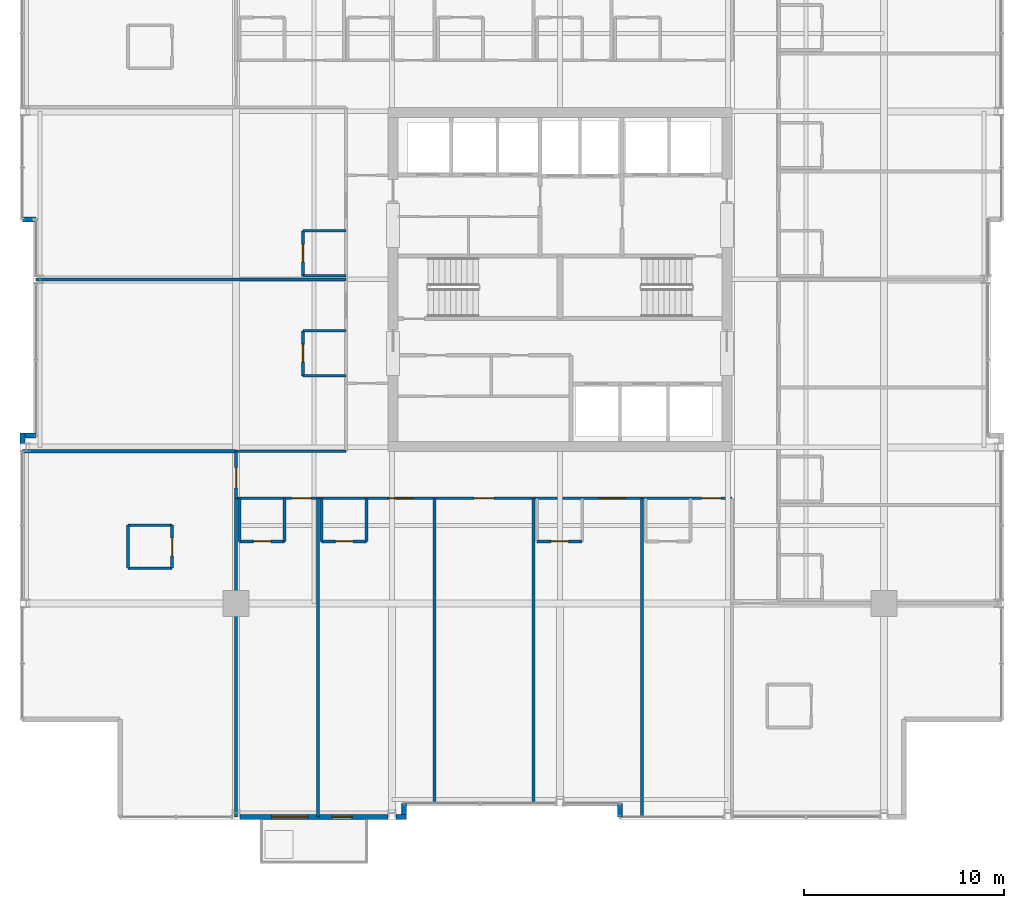
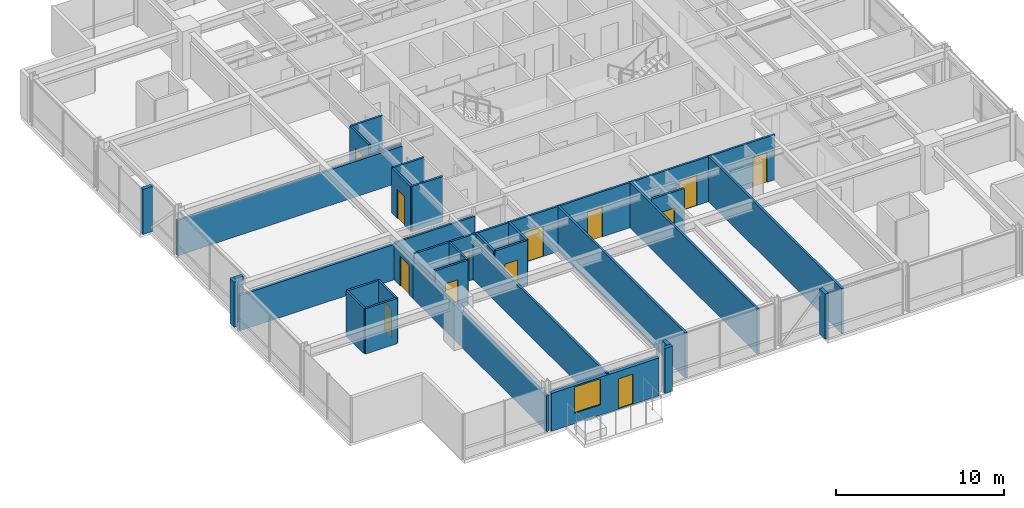
# One storey, part 26 of 33: 34 walls, 13 doors, 1 window, 14 openings.
"""IFC4 building model written with IfcOpenShell, lengths in metres."""

from ifc_helpers import new_model, si_unit, direction, frame, frame_2d, origin, place, context, subcontext, project, spatial, rectangle, extrude, material, layer, layer_set, type_object, element, fill, save


model = new_model("IFC4")

# Units and contexts
model_context = context("Model", 3, precision=1e-05, world=origin(), true_north=direction((0.0, 1.0)))
body_context = subcontext(model_context, "Body", "Model", "MODEL_VIEW")
ifc_project = project(units=[si_unit("LENGTHUNIT", "METRE"), si_unit("AREAUNIT", "SQUARE_METRE"), si_unit("VOLUMEUNIT", "CUBIC_METRE"), si_unit("PLANEANGLEUNIT", "RADIAN"), si_unit("MASSUNIT", "GRAM", prefix="KILO")], contexts=[model_context])

# Site, building, storey
site_placement = place(None, origin())
site = spatial("IfcSite", under=ifc_project, at=site_placement, CompositionType="ELEMENT")
building_placement = place(site_placement, origin())
building = spatial("IfcBuilding", under=site, at=building_placement, Name="Drelvath Grand Hotel", CompositionType="ELEMENT")
storey_placement = place(building_placement, frame((0.0, 0.0, 153.949951171875)))
storey = spatial("IfcBuildingStorey", under=building, at=storey_placement, Name="L39", CompositionType="ELEMENT", Elevation=153.949951171875)

# Wall
ifc_material_1 = material(Name="Gypsum Fireboard Partition")
ifc_layer_1 = layer(ifc_material_1, 0.135009765625)
ifc_layer_set_1 = layer_set([ifc_layer_1], Name="Gypsum Fireboard Partition")
wall_type_1 = type_object("IfcWallType", Name="Corridor Fire Barrier Wall 135", PredefinedType="PARTITIONING", material=ifc_layer_set_1)
wall_1_placement = place(storey_placement, frame((-16.199951171875, 18.39990234375, 0.0), z_axis=(0.0, 0.0, 1.0), x_axis=(1.0, 0.0, 0.0)))
element("IfcWall", 1, at=wall_1_placement, inside=storey, type_object=wall_type_1, Name="L39 SW Stub North Wall", PredefinedType="PARTITIONING", context=body_context, shape_type="SweptSolid", body=[
    extrude(rectangle(XDim=5.5, YDim=0.135009765625, at=frame_2d((2.75, 0.0))), origin(), (0.0, 0.0, 1.0), 2.66748046875),
])

# Wall, openings, doors
wall_2_placement = place(storey_placement, frame((-16.199951171875, 16.050048828125, 0.0), z_axis=(0.0, 0.0, 1.0), x_axis=(1.0, 0.0, 0.0)))
wall_2 = element("IfcWall", 2, at=wall_2_placement, inside=storey, type_object=wall_type_1, Name="L39 South Stub Corridor Wall", PredefinedType="PARTITIONING", context=body_context, shape_type="SweptSolid", body=[
    extrude(rectangle(XDim=24.800048828125, YDim=0.135009765625, at=frame_2d((12.39990234375, 0.0))), origin(), (0.0, 0.0, 1.0), 3.2900390625),
])
opening_1_placement = place(wall_2_placement, frame((2.784912109375, 0.0, 0.0)))
opening_1 = element("IfcOpeningElement", 3, at=opening_1_placement, cuts=wall_2, Name="Opening D-T3G1-035", PredefinedType="OPENING", context=body_context, shape_type="SweptSolid", body=[
    extrude(rectangle(XDim=0.9599609375, YDim=2.14990234375, at=frame_2d((0.47998046875, 1.074951171875))), frame((0.0, 0.077392578125, 0.0), z_axis=(0.0, -1.0, 0.0), x_axis=(1.0, 0.0, 0.0)), (0.0, 0.0, 1.0), 0.155029296875),
])
opening_2_placement = place(wall_2_placement, frame((7.594970703125, 0.0, 0.0)))
opening_2 = element("IfcOpeningElement", 4, at=opening_2_placement, cuts=wall_2, Name="Opening D-T3G1-037", PredefinedType="OPENING", context=body_context, shape_type="SweptSolid", body=[
    extrude(rectangle(XDim=1.260009765625, YDim=2.199951171875, at=frame_2d((0.6298828125, 1.10009765625))), frame((0.0, 0.077392578125, 0.0), z_axis=(0.0, -1.0, 0.0), x_axis=(1.0, 0.0, 0.0)), (0.0, 0.0, 1.0), 0.155029296875),
])
opening_3_placement = place(wall_2_placement, frame((11.889892578125, 0.0, 0.0)))
opening_3 = element("IfcOpeningElement", 5, at=opening_3_placement, cuts=wall_2, Name="Opening D-T3G1-038", PredefinedType="OPENING", context=body_context, shape_type="SweptSolid", body=[
    extrude(rectangle(XDim=1.02001953125, YDim=2.14990234375, at=frame_2d((0.510009765625, 1.074951171875))), frame((0.0, 0.077392578125, 0.0), z_axis=(0.0, -1.0, 0.0), x_axis=(1.0, 0.0, 0.0)), (0.0, 0.0, 1.0), 0.155029296875),
])
opening_4_placement = place(wall_2_placement, frame((18.17041015625, 0.0, 0.0)))
opening_4 = element("IfcOpeningElement", 6, at=opening_4_placement, cuts=wall_2, Name="Opening D-T3G1-040", PredefinedType="OPENING", context=body_context, shape_type="SweptSolid", body=[
    extrude(rectangle(XDim=1.260009765625, YDim=2.199951171875, at=frame_2d((0.6298828125, 1.10009765625))), frame((0.0, 0.077392578125, 0.0), z_axis=(0.0, -1.0, 0.0), x_axis=(1.0, 0.0, 0.0)), (0.0, 0.0, 1.0), 0.155029296875),
])
opening_5_placement = place(wall_2_placement, frame((23.280517578125, 0.0, 0.0)))
opening_5 = element("IfcOpeningElement", 7, at=opening_5_placement, cuts=wall_2, Name="Opening D-T3G1-042", PredefinedType="OPENING", context=body_context, shape_type="SweptSolid", body=[
    extrude(rectangle(XDim=0.9599609375, YDim=2.14990234375, at=frame_2d((0.47998046875, 1.074951171875))), frame((0.0, 0.077392578125, 0.0), z_axis=(0.0, -1.0, 0.0), x_axis=(1.0, 0.0, 0.0)), (0.0, 0.0, 1.0), 0.155029296875),
])
ifc_material_2 = material(Name="Hardwood Walnut Timber", Category="wood")
door_type_1 = type_object("IfcDoorType", Name="Amenity Meeting Fire Door 1020x2150", OperationType="NOTDEFINED", PredefinedType="DOOR", material=ifc_material_2)
door_1_placement = place(opening_3_placement, origin())
door_1 = element("IfcDoor", 8, at=door_1_placement, inside=storey, type_object=door_type_1, Name="L39 Sky Tea Lounge Entry Door", OperationType="SINGLE_SWING_RIGHT", OverallHeight=2.14990234375, OverallWidth=1.02001953125, PredefinedType="DOOR", context=body_context, shape_type="SweptSolid", body=[
    extrude(rectangle(XDim=1.02001953125, YDim=2.14990234375, at=frame_2d((0.510009765625, 1.074951171875))), frame((0.0, 0.02490234375, 0.0), z_axis=(0.0, -1.0, 0.0), x_axis=(1.0, 0.0, 0.0)), (0.0, 0.0, 1.0), 0.050048828125),
])
fill(opening_3, door_1)
door_type_2 = type_object("IfcDoorType", Name="Guestroom Entrance Fire Door 960x2150", OperationType="NOTDEFINED", PredefinedType="DOOR", material=ifc_material_2)
door_2_placement = place(opening_1_placement, origin())
door_2 = element("IfcDoor", 9, at=door_2_placement, inside=storey, type_object=door_type_2, Name="L39 King Guest Room Entry Door", OperationType="SINGLE_SWING_LEFT", OverallHeight=2.14990234375, OverallWidth=0.9599609375, PredefinedType="DOOR", context=body_context, shape_type="SweptSolid", body=[
    extrude(rectangle(XDim=0.9599609375, YDim=2.14990234375, at=frame_2d((0.47998046875, 1.074951171875))), frame((0.0, 0.02490234375, 0.0), z_axis=(0.0, -1.0, 0.0), x_axis=(1.0, 0.0, 0.0)), (0.0, 0.0, 1.0), 0.050048828125),
])
fill(opening_1, door_2)
door_3_placement = place(opening_5_placement, origin())
door_3 = element("IfcDoor", 10, at=door_3_placement, inside=storey, type_object=door_type_2, Name="L39 King Guest Room Entry Door", OperationType="SINGLE_SWING_RIGHT", OverallHeight=2.14990234375, OverallWidth=0.9599609375, PredefinedType="DOOR", context=body_context, shape_type="SweptSolid", body=[
    extrude(rectangle(XDim=0.9599609375, YDim=2.14990234375, at=frame_2d((0.47998046875, 1.074951171875))), frame((0.0, 0.02490234375, 0.0), z_axis=(0.0, -1.0, 0.0), x_axis=(1.0, 0.0, 0.0)), (0.0, 0.0, 1.0), 0.050048828125),
])
fill(opening_5, door_3)
door_type_3 = type_object("IfcDoorType", Name="Suite Entrance Fire Door 1260x2200", OperationType="NOTDEFINED", PredefinedType="DOOR", material=ifc_material_2)
door_4_placement = place(opening_2_placement, origin())
door_4 = element("IfcDoor", 11, at=door_4_placement, inside=storey, type_object=door_type_3, Name="L39 Executive Suite Entry Door", OperationType="SINGLE_SWING_LEFT", OverallHeight=2.199951171875, OverallWidth=1.260009765625, PredefinedType="DOOR", context=body_context, shape_type="SweptSolid", body=[
    extrude(rectangle(XDim=1.260009765625, YDim=2.199951171875, at=frame_2d((0.6298828125, 1.10009765625))), frame((0.0, 0.02490234375, 0.0), z_axis=(0.0, -1.0, 0.0), x_axis=(1.0, 0.0, 0.0)), (0.0, 0.0, 1.0), 0.050048828125),
])
fill(opening_2, door_4)
door_5_placement = place(opening_4_placement, origin())
door_5 = element("IfcDoor", 12, at=door_5_placement, inside=storey, type_object=door_type_3, Name="L39 Executive Suite Entry Door", OperationType="SINGLE_SWING_RIGHT", OverallHeight=2.199951171875, OverallWidth=1.260009765625, PredefinedType="DOOR", context=body_context, shape_type="SweptSolid", body=[
    extrude(rectangle(XDim=1.260009765625, YDim=2.199951171875, at=frame_2d((0.6298828125, 1.10009765625))), frame((0.0, 0.02490234375, 0.0), z_axis=(0.0, -1.0, 0.0), x_axis=(1.0, 0.0, 0.0)), (0.0, 0.0, 1.0), 0.050048828125),
])
fill(opening_4, door_5)

# Wall, opening, door
wall_3_placement = place(storey_placement, frame((-16.199951171875, 16.050048828125, 0.0), z_axis=(0.0, 0.0, 1.0), x_axis=(0.0, 1.0, 0.0)))
wall_3 = element("IfcWall", 13, at=wall_3_placement, inside=storey, type_object=wall_type_1, Name="L39 South Stub West End", PredefinedType="PARTITIONING", context=body_context, shape_type="SweptSolid", body=[
    extrude(rectangle(XDim=2.349853515625, YDim=0.135009765625, at=frame_2d((1.1748046875, 0.0))), origin(), (0.0, 0.0, 1.0), 2.57958984375),
])
opening_6_placement = place(wall_3_placement, frame((0.52001953125, 0.0, 0.0)))
opening_6 = element("IfcOpeningElement", 14, at=opening_6_placement, cuts=wall_3, Name="Opening D-T3G1-027", PredefinedType="OPENING", context=body_context, shape_type="SweptSolid", body=[
    extrude(rectangle(XDim=1.02001953125, YDim=2.14990234375, at=frame_2d((0.510009765625, 1.074951171875))), frame((0.0, 0.077392578125, 0.0), z_axis=(0.0, -1.0, 0.0), x_axis=(1.0, 0.0, 0.0)), (0.0, 0.0, 1.0), 0.155029296875),
])
door_6_placement = place(opening_6_placement, origin())
door_6 = element("IfcDoor", 15, at=door_6_placement, inside=storey, type_object=door_type_1, Name="L39 Executive Suite Entry Door", OperationType="SINGLE_SWING_LEFT", OverallHeight=2.14990234375, OverallWidth=1.02001953125, PredefinedType="DOOR", context=body_context, shape_type="SweptSolid", body=[
    extrude(rectangle(XDim=1.02001953125, YDim=2.14990234375, at=frame_2d((0.510009765625, 1.074951171875))), frame((0.0, 0.02490234375, 0.0), z_axis=(0.0, -1.0, 0.0), x_axis=(1.0, 0.0, 0.0)), (0.0, 0.0, 1.0), 0.050048828125),
])
fill(opening_6, door_6)

# Walls
ifc_material_3 = material(Name="Moisture-Resistant Gypsum Board")
ifc_layer_2 = layer(ifc_material_3, 0.139892578125)
ifc_layer_set_2 = layer_set([ifc_layer_2], Name="Moisture-Resistant Gypsum Board")
wall_type_2 = type_object("IfcWallType", Name="En-Suite Plumbing Wall 140", PredefinedType="PLUMBINGWALL", material=ifc_layer_set_2)
for number, where, z_axis, x_axis, name in (
    (16, (-21.60009765625, 12.56005859375, 0.0), (0.0, 0.0, 1.0), (1.0, 0.0, 0.0), "L39 Corner En-Suite South"),
    (17, (-21.60009765625, 14.7099609375, 0.0), (0.0, 0.0, 1.0), (1.0, 0.0, 0.0), "L39 Corner En-Suite North"),
):
    element("IfcWall", number, at=place(storey_placement, frame(where, z_axis=z_axis, x_axis=x_axis)), inside=storey, type_object=wall_type_2, Name=name, PredefinedType="PLUMBINGWALL", context=body_context, shape_type="SweptSolid", body=[
        extrude(rectangle(XDim=2.2001953125, YDim=0.139892578125, at=frame_2d((1.10009765625, 0.0))), origin(), (0.0, 0.0, 1.0), 3.2900390625),
    ])
wall_4_placement = place(storey_placement, frame((-21.60009765625, 12.56005859375, 0.0), z_axis=(0.0, 0.0, 1.0), x_axis=(0.0, 1.0, 0.0)))
element("IfcWall", 18, at=wall_4_placement, inside=storey, type_object=wall_type_2, Name="L39 Corner En-Suite West", PredefinedType="PLUMBINGWALL", context=body_context, shape_type="SweptSolid", body=[
    extrude(rectangle(XDim=2.14990234375, YDim=0.139892578125, at=frame_2d((1.074951171875, 0.0))), origin(), (0.0, 0.0, 1.0), 3.2900390625),
])

# Wall, opening, door
wall_5_placement = place(storey_placement, frame((-19.39990234375, 12.56005859375, 0.0), z_axis=(0.0, 0.0, 1.0), x_axis=(0.0, 1.0, 0.0)))
wall_5 = element("IfcWall", 19, at=wall_5_placement, inside=storey, type_object=wall_type_2, Name="L39 Corner En-Suite East", PredefinedType="PLUMBINGWALL", context=body_context, shape_type="SweptSolid", body=[
    extrude(rectangle(XDim=2.14990234375, YDim=0.139892578125, at=frame_2d((1.074951171875, 0.0))), origin(), (0.0, 0.0, 1.0), 3.2900390625),
])
opening_7_placement = place(wall_5_placement, frame((0.6201171875, 0.0, 0.0)))
opening_7 = element("IfcOpeningElement", 20, at=opening_7_placement, cuts=wall_5, Name="Opening D-T3G1-026", PredefinedType="OPENING", context=body_context, shape_type="SweptSolid", body=[
    extrude(rectangle(XDim=0.8798828125, YDim=2.10009765625, at=frame_2d((0.43994140625, 1.050048828125))), frame((0.0, 0.079833984375, 0.0), z_axis=(0.0, -1.0, 0.0), x_axis=(1.0, 0.0, 0.0)), (0.0, 0.0, 1.0), 0.159912109375),
])
door_type_4 = type_object("IfcDoorType", Name="En-Suite Bathroom Door 880x2100", OperationType="NOTDEFINED", PredefinedType="DOOR", material=ifc_material_2)
door_7_placement = place(opening_7_placement, origin())
door_7 = element("IfcDoor", 21, at=door_7_placement, inside=storey, type_object=door_type_4, Name="L39 Corner En-Suite Door", OperationType="SINGLE_SWING_RIGHT", OverallHeight=2.10009765625, OverallWidth=0.8798828125, PredefinedType="DOOR", context=body_context, shape_type="SweptSolid", body=[
    extrude(rectangle(XDim=0.8798828125, YDim=2.10009765625, at=frame_2d((0.43994140625, 1.050048828125))), frame((0.0, 0.02490234375, 0.0), z_axis=(0.0, -1.0, 0.0), x_axis=(1.0, 0.0, 0.0)), (0.0, 0.0, 1.0), 0.050048828125),
])
fill(opening_7, door_7)

# Walls
wall_6_placement = place(storey_placement, frame((-16.02001953125, 16.050048828125, 0.0), z_axis=(0.0, 0.0, 1.0), x_axis=(0.0, -1.0, 0.0)))
element("IfcWall", 22, at=wall_6_placement, inside=storey, type_object=wall_type_2, Name="L39 En-Suite Left Wall", PredefinedType="PLUMBINGWALL", context=body_context, shape_type="SweptSolid", body=[
    extrude(rectangle(XDim=2.150146484375, YDim=0.139892578125, at=frame_2d((1.0751953125, 0.0))), origin(), (0.0, 0.0, 1.0), 2.57958984375),
])
wall_7_placement = place(storey_placement, frame((-13.77001953125, 16.050048828125, 0.0), z_axis=(0.0, 0.0, 1.0), x_axis=(0.0, -1.0, 0.0)))
element("IfcWall", 23, at=wall_7_placement, inside=storey, type_object=wall_type_2, Name="L39 En-Suite Right Wall", PredefinedType="PLUMBINGWALL", context=body_context, shape_type="SweptSolid", body=[
    extrude(rectangle(XDim=2.150146484375, YDim=0.139892578125, at=frame_2d((1.0751953125, 0.0))), origin(), (0.0, 0.0, 1.0), 3.2900390625),
])

# Wall, opening, door
wall_8_placement = place(storey_placement, frame((-16.02001953125, 13.89990234375, 0.0), z_axis=(0.0, 0.0, 1.0), x_axis=(1.0, 0.0, 0.0)))
wall_8 = element("IfcWall", 24, at=wall_8_placement, inside=storey, type_object=wall_type_2, Name="L39 En-Suite Front Wall", PredefinedType="PLUMBINGWALL", context=body_context, shape_type="SweptSolid", body=[
    extrude(rectangle(XDim=2.25, YDim=0.139892578125, at=frame_2d((1.125, 0.0))), origin(), (0.0, 0.0, 1.0), 3.2900390625),
])
opening_8_placement = place(wall_8_placement, frame((0.68505859375, 0.0, 0.0)))
opening_8 = element("IfcOpeningElement", 25, at=opening_8_placement, cuts=wall_8, Name="Opening D-T3G1-034", PredefinedType="OPENING", context=body_context, shape_type="SweptSolid", body=[
    extrude(rectangle(XDim=0.8798828125, YDim=2.10009765625, at=frame_2d((0.43994140625, 1.050048828125))), frame((0.0, 0.079833984375, 0.0), z_axis=(0.0, -1.0, 0.0), x_axis=(1.0, 0.0, 0.0)), (0.0, 0.0, 1.0), 0.159912109375),
])
door_8_placement = place(opening_8_placement, origin())
door_8 = element("IfcDoor", 26, at=door_8_placement, inside=storey, type_object=door_type_4, Name="L39 En-Suite Bathroom Door", OperationType="SINGLE_SWING_RIGHT", OverallHeight=2.10009765625, OverallWidth=0.8798828125, PredefinedType="DOOR", context=body_context, shape_type="SweptSolid", body=[
    extrude(rectangle(XDim=0.8798828125, YDim=2.10009765625, at=frame_2d((0.43994140625, 1.050048828125))), frame((0.0, 0.02490234375, 0.0), z_axis=(0.0, -1.0, 0.0), x_axis=(1.0, 0.0, 0.0)), (0.0, 0.0, 1.0), 0.050048828125),
])
fill(opening_8, door_8)

# Walls
for number, where, z_axis, x_axis, name in (
    (27, (-11.919921875, 16.050048828125, 0.0), (0.0, 0.0, 1.0), (0.0, -1.0, 0.0), "L39 En-Suite Left Wall"),
    (28, (-9.669921875, 16.050048828125, 0.0), (0.0, 0.0, 1.0), (0.0, -1.0, 0.0), "L39 En-Suite Right Wall"),
):
    element("IfcWall", number, at=place(storey_placement, frame(where, z_axis=z_axis, x_axis=x_axis)), inside=storey, type_object=wall_type_2, Name=name, PredefinedType="PLUMBINGWALL", context=body_context, shape_type="SweptSolid", body=[
        extrude(rectangle(XDim=2.150146484375, YDim=0.139892578125, at=frame_2d((1.0751953125, 0.0))), origin(), (0.0, 0.0, 1.0), 3.2900390625),
    ])

# Wall, opening, door
wall_9_placement = place(storey_placement, frame((-11.919921875, 13.89990234375, 0.0), z_axis=(0.0, 0.0, 1.0), x_axis=(1.0, 0.0, 0.0)))
wall_9 = element("IfcWall", 29, at=wall_9_placement, inside=storey, type_object=wall_type_2, Name="L39 En-Suite Front Wall", PredefinedType="PLUMBINGWALL", context=body_context, shape_type="SweptSolid", body=[
    extrude(rectangle(XDim=2.25, YDim=0.139892578125, at=frame_2d((1.125, 0.0))), origin(), (0.0, 0.0, 1.0), 3.2900390625),
])
opening_9_placement = place(wall_9_placement, frame((0.68505859375, 0.0, 0.0)))
opening_9 = element("IfcOpeningElement", 30, at=opening_9_placement, cuts=wall_9, Name="Opening D-T3G1-036", PredefinedType="OPENING", context=body_context, shape_type="SweptSolid", body=[
    extrude(rectangle(XDim=0.8798828125, YDim=2.10009765625, at=frame_2d((0.43994140625, 1.050048828125))), frame((0.0, 0.079833984375, 0.0), z_axis=(0.0, -1.0, 0.0), x_axis=(1.0, 0.0, 0.0)), (0.0, 0.0, 1.0), 0.159912109375),
])
door_9_placement = place(opening_9_placement, origin())
door_9 = element("IfcDoor", 31, at=door_9_placement, inside=storey, type_object=door_type_4, Name="L39 En-Suite Bathroom Door", OperationType="SINGLE_SWING_RIGHT", OverallHeight=2.10009765625, OverallWidth=0.8798828125, PredefinedType="DOOR", context=body_context, shape_type="SweptSolid", body=[
    extrude(rectangle(XDim=0.8798828125, YDim=2.10009765625, at=frame_2d((0.43994140625, 1.050048828125))), frame((0.0, 0.02490234375, 0.0), z_axis=(0.0, -1.0, 0.0), x_axis=(1.0, 0.0, 0.0)), (0.0, 0.0, 1.0), 0.050048828125),
])
fill(opening_9, door_9)

wall_10_placement = place(storey_placement, frame((-1.139892578125, 13.89990234375, 0.0), z_axis=(0.0, 0.0, 1.0), x_axis=(1.0, 0.0, 0.0)))
wall_10 = element("IfcWall", 32, at=wall_10_placement, inside=storey, type_object=wall_type_2, Name="L39 En-Suite Front Wall", PredefinedType="PLUMBINGWALL", context=body_context, shape_type="SweptSolid", body=[
    extrude(rectangle(XDim=2.25, YDim=0.139892578125, at=frame_2d((1.125, 0.0))), origin(), (0.0, 0.0, 1.0), 3.2900390625),
])
opening_10_placement = place(wall_10_placement, frame((0.68505859375, 0.0, 0.0)))
opening_10 = element("IfcOpeningElement", 33, at=opening_10_placement, cuts=wall_10, Name="Opening D-T3G1-039", PredefinedType="OPENING", context=body_context, shape_type="SweptSolid", body=[
    extrude(rectangle(XDim=0.8798828125, YDim=2.10009765625, at=frame_2d((0.43994140625, 1.050048828125))), frame((0.0, 0.079833984375, 0.0), z_axis=(0.0, -1.0, 0.0), x_axis=(1.0, 0.0, 0.0)), (0.0, 0.0, 1.0), 0.159912109375),
])
door_10_placement = place(opening_10_placement, origin())
door_10 = element("IfcDoor", 34, at=door_10_placement, inside=storey, type_object=door_type_4, Name="L39 En-Suite Bathroom Door", OperationType="SINGLE_SWING_LEFT", OverallHeight=2.10009765625, OverallWidth=0.8798828125, PredefinedType="DOOR", context=body_context, shape_type="SweptSolid", body=[
    extrude(rectangle(XDim=0.8798828125, YDim=2.10009765625, at=frame_2d((0.43994140625, 1.050048828125))), frame((0.0, 0.02490234375, 0.0), z_axis=(0.0, -1.0, 0.0), x_axis=(1.0, 0.0, 0.0)), (0.0, 0.0, 1.0), 0.050048828125),
])
fill(opening_10, door_10)

# Walls
for number, where, z_axis, x_axis, name in (
    (35, (-10.699951171875, 22.179931640625, 0.0), (0.0, 0.0, 1.0), (-1.0, 0.0, 0.0), "L39 En-Suite Left Wall"),
    (36, (-10.699951171875, 24.429931640625, 0.0), (0.0, 0.0, 1.0), (-1.0, 0.0, 0.0), "L39 En-Suite Right Wall"),
):
    element("IfcWall", number, at=place(storey_placement, frame(where, z_axis=z_axis, x_axis=x_axis)), inside=storey, type_object=wall_type_2, Name=name, PredefinedType="PLUMBINGWALL", context=body_context, shape_type="SweptSolid", body=[
        extrude(rectangle(XDim=2.150146484375, YDim=0.139892578125, at=frame_2d((1.0751953125, 0.0))), origin(), (0.0, 0.0, 1.0), 3.2900390625),
    ])

# Wall, opening, door
wall_11_placement = place(storey_placement, frame((-12.85009765625, 22.179931640625, 0.0), z_axis=(0.0, 0.0, 1.0), x_axis=(0.0, 1.0, 0.0)))
wall_11 = element("IfcWall", 37, at=wall_11_placement, inside=storey, type_object=wall_type_2, Name="L39 En-Suite Front Wall", PredefinedType="PLUMBINGWALL", context=body_context, shape_type="SweptSolid", body=[
    extrude(rectangle(XDim=2.25, YDim=0.139892578125, at=frame_2d((1.125, 0.0))), origin(), (0.0, 0.0, 1.0), 3.2900390625),
])
opening_11_placement = place(wall_11_placement, frame((0.68505859375, 0.0, 0.0)))
opening_11 = element("IfcOpeningElement", 38, at=opening_11_placement, cuts=wall_11, Name="Opening D-T3G1-064", PredefinedType="OPENING", context=body_context, shape_type="SweptSolid", body=[
    extrude(rectangle(XDim=0.8798828125, YDim=2.10009765625, at=frame_2d((0.43994140625, 1.050048828125))), frame((0.0, 0.079833984375, 0.0), z_axis=(0.0, -1.0, 0.0), x_axis=(1.0, 0.0, 0.0)), (0.0, 0.0, 1.0), 0.159912109375),
])
door_11_placement = place(opening_11_placement, origin())
door_11 = element("IfcDoor", 39, at=door_11_placement, inside=storey, type_object=door_type_4, Name="L39 En-Suite Bathroom Door", OperationType="SINGLE_SWING_RIGHT", OverallHeight=2.10009765625, OverallWidth=0.8798828125, PredefinedType="DOOR", context=body_context, shape_type="SweptSolid", body=[
    extrude(rectangle(XDim=0.8798828125, YDim=2.10009765625, at=frame_2d((0.43994140625, 1.050048828125))), frame((0.0, 0.02490234375, 0.0), z_axis=(0.0, -1.0, 0.0), x_axis=(1.0, 0.0, 0.0)), (0.0, 0.0, 1.0), 0.050048828125),
])
fill(opening_11, door_11)

# Walls
wall_12_placement = place(storey_placement, frame((-10.699951171875, 27.179931640625, 0.0), z_axis=(0.0, 0.0, 1.0), x_axis=(-1.0, 0.0, 0.0)))
element("IfcWall", 40, at=wall_12_placement, inside=storey, type_object=wall_type_2, Name="L39 En-Suite Left Wall", PredefinedType="PLUMBINGWALL", context=body_context, shape_type="SweptSolid", body=[
    extrude(rectangle(XDim=2.150146484375, YDim=0.139892578125, at=frame_2d((1.0751953125, 0.0))), origin(), (0.0, 0.0, 1.0), 2.66748046875),
])
wall_13_placement = place(storey_placement, frame((-10.699951171875, 29.429931640625, 0.0), z_axis=(0.0, 0.0, 1.0), x_axis=(-1.0, 0.0, 0.0)))
element("IfcWall", 41, at=wall_13_placement, inside=storey, type_object=wall_type_2, Name="L39 En-Suite Right Wall", PredefinedType="PLUMBINGWALL", context=body_context, shape_type="SweptSolid", body=[
    extrude(rectangle(XDim=2.150146484375, YDim=0.139892578125, at=frame_2d((1.0751953125, 0.0))), origin(), (0.0, 0.0, 1.0), 3.2900390625),
])

# Wall, opening, door
wall_14_placement = place(storey_placement, frame((-12.85009765625, 27.179931640625, 0.0), z_axis=(0.0, 0.0, 1.0), x_axis=(0.0, 1.0, 0.0)))
wall_14 = element("IfcWall", 42, at=wall_14_placement, inside=storey, type_object=wall_type_2, Name="L39 En-Suite Front Wall", PredefinedType="PLUMBINGWALL", context=body_context, shape_type="SweptSolid", body=[
    extrude(rectangle(XDim=2.25, YDim=0.139892578125, at=frame_2d((1.125, 0.0))), origin(), (0.0, 0.0, 1.0), 3.2900390625),
])
opening_12_placement = place(wall_14_placement, frame((0.68505859375, 0.0, 0.0)))
opening_12 = element("IfcOpeningElement", 43, at=opening_12_placement, cuts=wall_14, Name="Opening D-T3G1-066", PredefinedType="OPENING", context=body_context, shape_type="SweptSolid", body=[
    extrude(rectangle(XDim=0.8798828125, YDim=2.10009765625, at=frame_2d((0.43994140625, 1.050048828125))), frame((0.0, 0.079833984375, 0.0), z_axis=(0.0, -1.0, 0.0), x_axis=(1.0, 0.0, 0.0)), (0.0, 0.0, 1.0), 0.159912109375),
])
door_12_placement = place(opening_12_placement, origin())
door_12 = element("IfcDoor", 44, at=door_12_placement, inside=storey, type_object=door_type_4, Name="L39 En-Suite Bathroom Door", OperationType="SINGLE_SWING_RIGHT", OverallHeight=2.10009765625, OverallWidth=0.8798828125, PredefinedType="DOOR", context=body_context, shape_type="SweptSolid", body=[
    extrude(rectangle(XDim=0.8798828125, YDim=2.10009765625, at=frame_2d((0.43994140625, 1.050048828125))), frame((0.0, 0.02490234375, 0.0), z_axis=(0.0, -1.0, 0.0), x_axis=(1.0, 0.0, 0.0)), (0.0, 0.0, 1.0), 0.050048828125),
])
fill(opening_12, door_12)

# Walls
ifc_material_4 = material(Name="Gypsum Acoustic Partition")
ifc_layer_3 = layer(ifc_material_4, 0.14990234375)
ifc_layer_set_3 = layer_set([ifc_layer_3], Name="Gypsum Acoustic Partition")
wall_type_3 = type_object("IfcWallType", Name="Guestroom Demising Wall 150", PredefinedType="PARTITIONING", material=ifc_layer_set_3)
wall_15_placement = place(storey_placement, frame((-12.10009765625, 0.1201171875, 0.0), z_axis=(0.0, 0.0, 1.0), x_axis=(0.0, 1.0, 0.0)))
element("IfcWall", 45, at=wall_15_placement, inside=storey, type_object=wall_type_3, Name="L39 South Demising 1", PredefinedType="PARTITIONING", context=body_context, shape_type="SweptSolid", body=[
    extrude(rectangle(XDim=15.929931640625, YDim=0.14990234375, at=frame_2d((7.96484375, 0.0))), origin(), (0.0, 0.0, 1.0), 2.81494140625),
])
for number, where, z_axis, x_axis, name in (
    (46, (-6.280029296875, 0.800048828125, 0.0), (0.0, 0.0, 1.0), (0.0, 1.0, 0.0), "L39 South Demising 2"),
    (47, (-1.320068359375, 0.800048828125, 0.0), (0.0, 0.0, 1.0), (0.0, 1.0, 0.0), "L39 South Demising 3"),
):
    element("IfcWall", number, at=place(storey_placement, frame(where, z_axis=z_axis, x_axis=x_axis)), inside=storey, type_object=wall_type_3, Name=name, PredefinedType="PARTITIONING", context=body_context, shape_type="SweptSolid", body=[
        extrude(rectangle(XDim=15.25, YDim=0.14990234375, at=frame_2d((7.625, 0.0))), origin(), (0.0, 0.0, 1.0), 3.2900390625),
    ])
wall_16_placement = place(storey_placement, frame((4.0908203125, 0.1201171875, 0.0), z_axis=(0.0, 0.0, 1.0), x_axis=(0.0, 1.0, 0.0)))
element("IfcWall", 48, at=wall_16_placement, inside=storey, type_object=wall_type_3, Name="L39 South Demising 4", PredefinedType="PARTITIONING", context=body_context, shape_type="SweptSolid", body=[
    extrude(rectangle(XDim=15.929931640625, YDim=0.14990234375, at=frame_2d((7.96484375, 0.0))), origin(), (0.0, 0.0, 1.0), 3.2900390625),
])
wall_17_placement = place(storey_placement, frame((-26.199951171875, 27.0, 0.0), z_axis=(0.0, 0.0, 1.0), x_axis=(1.0, 0.0, 0.0)))
element("IfcWall", 49, at=wall_17_placement, inside=storey, type_object=wall_type_3, Name="L39 West Suite Demising Wall", PredefinedType="PARTITIONING", context=body_context, shape_type="SweptSolid", body=[
    extrude(rectangle(XDim=15.5, YDim=0.14990234375, at=frame_2d((7.75, 0.0))), origin(), (0.0, 0.0, 1.0), 2.57958984375),
])
ifc_layer_4 = layer(ifc_material_4, 0.1650390625)
ifc_layer_set_4 = layer_set([ifc_layer_4], Name="Gypsum Acoustic Partition")
wall_type_4 = type_object("IfcWallType", Name="Suite Demising Wall 165", PredefinedType="PARTITIONING", material=ifc_layer_set_4)
wall_18_placement = place(storey_placement, frame((-16.199951171875, 0.1201171875, 0.0), z_axis=(0.0, 0.0, 1.0), x_axis=(0.0, 1.0, 0.0)))
element("IfcWall", 50, at=wall_18_placement, inside=storey, type_object=wall_type_4, Name="L39 SW Suite East Wall", PredefinedType="PARTITIONING", context=body_context, shape_type="SweptSolid", body=[
    extrude(rectangle(XDim=15.929931640625, YDim=0.1650390625, at=frame_2d((7.96484375, 0.0))), origin(), (0.0, 0.0, 1.0), 2.57958984375),
])
wall_19_placement = place(storey_placement, frame((-26.8798828125, 18.39990234375, 0.0), z_axis=(0.0, 0.0, 1.0), x_axis=(1.0, 0.0, 0.0)))
element("IfcWall", 51, at=wall_19_placement, inside=storey, type_object=wall_type_4, Name="L39 SW Suite North Wall", PredefinedType="PARTITIONING", context=body_context, shape_type="SweptSolid", body=[
    extrude(rectangle(XDim=10.679931640625, YDim=0.1650390625, at=frame_2d((5.33984375, 0.0))), origin(), (0.0, 0.0, 1.0), 2.57958984375),
])
ifc_material_5 = material(Name="Pale-Metal Insulated Aluminium Spandrel Assembly", Category="aluminium")
ifc_layer_5 = layer(ifc_material_5, 0.239990234375)
ifc_layer_set_5 = layer_set([ifc_layer_5], Name="Pale-Metal Insulated Aluminium Spandrel Assembly")
wall_type_5 = type_object("IfcWallType", Name="Tower Insulated Metal Spandrel Closure Wall 240", PredefinedType="STANDARD", material=ifc_layer_set_5)
wall_20_placement = place(storey_placement, frame((-26.8798828125, 18.800048828125, 0.0), z_axis=(0.0, 0.0, 1.0), x_axis=(0.0, 1.0, 0.0)))
element("IfcWall", 52, at=wall_20_placement, inside=storey, type_object=wall_type_5, Name="L39 Corner Pier Spandrel Wall WS3", PredefinedType="STANDARD", context=body_context, shape_type="SweptSolid", body=[
    extrude(rectangle(XDim=0.52001953125, YDim=0.239990234375, at=frame_2d((0.260009765625, 0.0))), origin(), (0.0, 0.0, 1.0), 3.2900390625),
])

# Wall, openings, window, door
wall_21_placement = place(storey_placement, frame((-8.60009765625, 0.1201171875, 0.0), z_axis=(0.0, 0.0, 1.0), x_axis=(-1.0, 0.0, 0.0)))
wall_21 = element("IfcWall", 53, at=wall_21_placement, inside=storey, type_object=wall_type_5, Name="L39 Exterior Terrace Door Bay Wall SW2", PredefinedType="STANDARD", context=body_context, shape_type="SweptSolid", body=[
    extrude(rectangle(XDim=7.39990234375, YDim=0.239990234375, at=frame_2d((3.699951171875, 0.0))), origin(), (0.0, 0.0, 1.0), 2.75341796875),
])
opening_13_placement = place(wall_21_placement, frame((1.7998046875, 0.0, 0.0)))
opening_13 = element("IfcOpeningElement", 54, at=opening_13_placement, cuts=wall_21, Name="Opening TD-1000", PredefinedType="OPENING", context=body_context, shape_type="SweptSolid", body=[
    extrude(rectangle(XDim=1.0, YDim=2.199951171875, at=frame_2d((0.5, 1.10009765625))), frame((0.0, 0.1298828125, 0.0), z_axis=(0.0, -1.0, 0.0), x_axis=(1.0, 0.0, 0.0)), (0.0, 0.0, 1.0), 0.260009765625),
])
opening_14_placement = place(wall_21_placement, frame((4.02490234375, 0.0, 0.75)))
opening_14 = element("IfcOpeningElement", 55, at=opening_14_placement, cuts=wall_21, Name="Opening W-02", PredefinedType="OPENING", context=body_context, shape_type="SweptSolid", body=[
    extrude(rectangle(XDim=1.800048828125, YDim=1.9033203125, at=frame_2d((0.89990234375, 0.95166015625))), frame((0.0, 0.1298828125, 0.0), z_axis=(0.0, -1.0, 0.0), x_axis=(1.0, 0.0, 0.0)), (0.0, 0.0, 1.0), 0.260009765625),
])
ifc_material_6 = material(Name="Bronze Anodised Low-E Triple Glazing", Category="glass")
window_type = type_object("IfcWindowType", Name="Chicago Double-Pane Podium Window 1800x2400", PartitioningType="DOUBLE_PANEL_VERTICAL", PredefinedType="WINDOW", material=ifc_material_6)
window_placement = place(opening_14_placement, origin())
window = element("IfcWindow", 56, at=window_placement, inside=storey, type_object=window_type, Name="L39 Terrace Bay Companion Window SW2", OverallHeight=1.9033203125, OverallWidth=1.800048828125, PartitioningType="SINGLE_PANEL", PredefinedType="WINDOW", context=body_context, shape_type="SweptSolid", body=[
    extrude(rectangle(XDim=1.800048828125, YDim=1.9033203125, at=frame_2d((0.89990234375, 0.95166015625))), frame((0.0, 0.030029296875, 0.0), z_axis=(0.0, -1.0, 0.0), x_axis=(1.0, 0.0, 0.0)), (0.0, 0.0, 1.0), 0.06005859375),
])
fill(opening_14, window)
ifc_material_7 = material(Name="Anodised Aluminium Thermally Broken Glazed Door", Category="aluminium")
door_type_5 = type_object("IfcDoorType", Name="Terrace and Tree Balcony Glazed Door 1000x2200", OperationType="NOTDEFINED", PredefinedType="DOOR", material=ifc_material_7)
door_13_placement = place(opening_13_placement, origin())
door_13 = element("IfcDoor", 57, at=door_13_placement, inside=storey, type_object=door_type_5, Name="L39 Tree Balcony Door DOOR-L39-TBAL-1", OperationType="SINGLE_SWING_RIGHT", OverallHeight=2.199951171875, OverallWidth=1.0, PredefinedType="DOOR", context=body_context, shape_type="SweptSolid", body=[
    extrude(rectangle(XDim=1.0, YDim=2.199951171875, at=frame_2d((0.5, 1.10009765625))), frame((0.0, 0.02490234375, 0.0), z_axis=(0.0, -1.0, 0.0), x_axis=(1.0, 0.0, 0.0)), (0.0, 0.0, 1.0), 0.050048828125),
])
fill(opening_13, door_13)

# Walls
wall_22_placement = place(storey_placement, frame((-7.679931640625, 0.1201171875, 0.0), z_axis=(0.0, 0.0, 1.0), x_axis=(-1.0, 0.0, 0.0)))
element("IfcWall", 58, at=wall_22_placement, inside=storey, type_object=wall_type_5, Name="L39 Corner Pier Spandrel Wall SW3", PredefinedType="STANDARD", context=body_context, shape_type="SweptSolid", body=[
    extrude(rectangle(XDim=0.52001953125, YDim=0.239990234375, at=frame_2d((0.260009765625, 0.0))), origin(), (0.0, 0.0, 1.0), 3.2900390625),
])
wall_23_placement = place(storey_placement, frame((-26.760009765625, 19.199951171875, 0.0), z_axis=(0.0, 0.0, 1.0), x_axis=(1.0, 0.0, 0.0)))
element("IfcWall", 59, at=wall_23_placement, inside=storey, type_object=wall_type_5, Name="L39 Notched Corner Return Spandrel Wall RW1", PredefinedType="STANDARD", context=body_context, shape_type="SweptSolid", body=[
    extrude(rectangle(XDim=0.56005859375, YDim=0.239990234375, at=frame_2d((0.280029296875, 0.0))), origin(), (0.0, 0.0, 1.0), 3.2900390625),
])
for number, where, z_axis, x_axis, name in (
    (60, (-26.199951171875, 30.0, 0.0), (0.0, 0.0, 1.0), (-1.0, 0.0, 0.0), "L39 Notched Corner Return Spandrel Wall RW2"),
    (61, (3.0, 0.1201171875, 0.0), (0.0, 0.0, 1.0), (0.0, 1.0, 0.0), "L39 Notched Corner Return Spandrel Wall RS1"),
):
    element("IfcWall", number, at=place(storey_placement, frame(where, z_axis=z_axis, x_axis=x_axis)), inside=storey, type_object=wall_type_5, Name=name, PredefinedType="STANDARD", context=body_context, shape_type="SweptSolid", body=[
        extrude(rectangle(XDim=0.679931640625, YDim=0.239990234375, at=frame_2d((0.33984375, 0.0))), origin(), (0.0, 0.0, 1.0), 3.2900390625),
    ])
wall_24_placement = place(storey_placement, frame((-7.800048828125, 0.800048828125, 0.0), z_axis=(0.0, 0.0, 1.0), x_axis=(0.0, -1.0, 0.0)))
element("IfcWall", 62, at=wall_24_placement, inside=storey, type_object=wall_type_5, Name="L39 Notched Corner Return Spandrel Wall RS2", PredefinedType="STANDARD", context=body_context, shape_type="SweptSolid", body=[
    extrude(rectangle(XDim=0.56005859375, YDim=0.239990234375, at=frame_2d((0.280029296875, 0.0))), origin(), (0.0, 0.0, 1.0), 3.2900390625),
])

save(model, "model.ifc")
